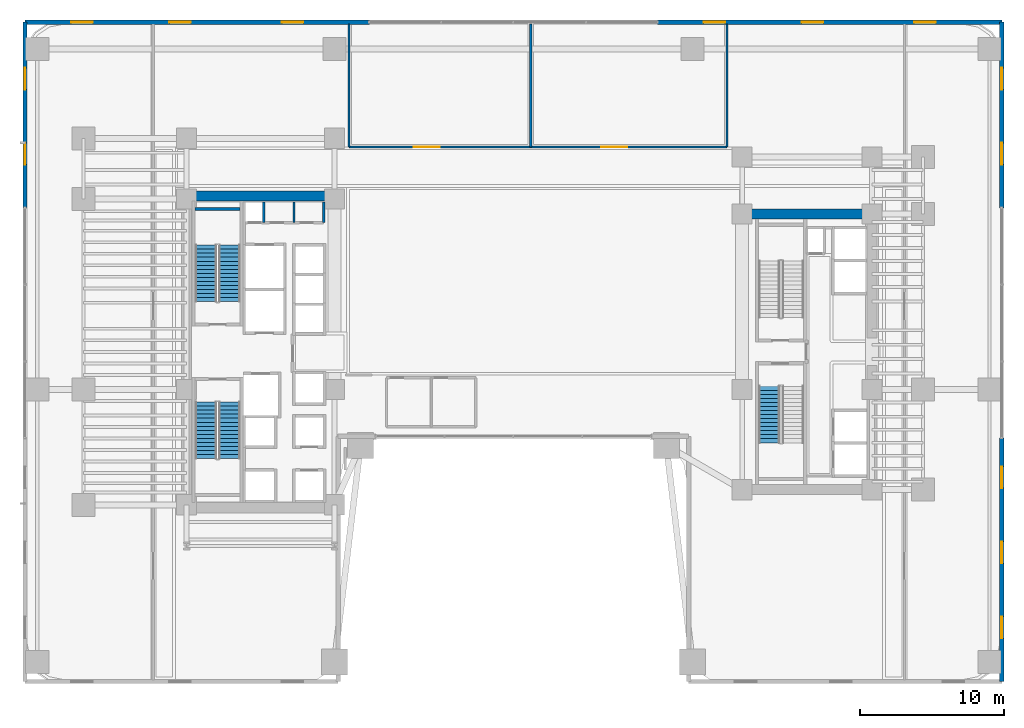
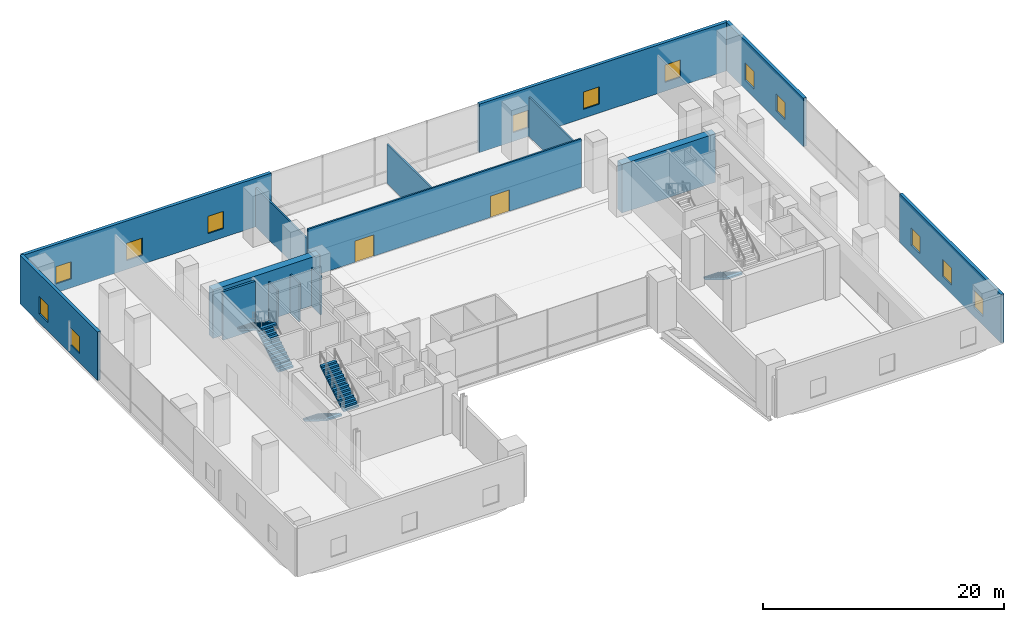
# One storey, part 29 of 39: 15 walls, 13 windows, 5 stair flights, 2 doors, 15 openings, 3 elements without a shape of their own.
"""IFC4 building model written with IfcOpenShell, lengths in metres."""

from ifc_helpers import new_model, si_unit, direction, frame, frame_2d, origin, place, context, subcontext, project, spatial, polyline, rectangle, outline, extrude, material, layer, layer_set, type_object, element, fill, aggregate, save


model = new_model("IFC4")

# Units and contexts
model_context = context("Model", 3, precision=1e-05, world=origin(), true_north=direction((0.0, 1.0)))
body_context = subcontext(model_context, "Body", "Model", "MODEL_VIEW")
ifc_project = project(units=[si_unit("LENGTHUNIT", "METRE"), si_unit("AREAUNIT", "SQUARE_METRE"), si_unit("VOLUMEUNIT", "CUBIC_METRE"), si_unit("PLANEANGLEUNIT", "RADIAN"), si_unit("MASSUNIT", "GRAM", prefix="KILO")], contexts=[model_context])

# Site, building, storey
site_placement = place(None, origin())
site = spatial("IfcSite", under=ifc_project, at=site_placement, CompositionType="ELEMENT")
building_placement = place(site_placement, origin())
building = spatial("IfcBuilding", under=site, at=building_placement, Name="Valdorenza Pilgrim Sanctuary Tower", CompositionType="ELEMENT")
storey_placement = place(building_placement, frame((0.0, 0.0, 5.199951171875)))
storey = spatial("IfcBuildingStorey", under=building, at=storey_placement, Name="L01", CompositionType="ELEMENT", Elevation=5.199951171875)

# Walls
ifc_material_1 = material(Name="Acoustic twin-stud gypsum partition", Category="gypsum")
ifc_layer_1 = layer(ifc_material_1, 0.159912109375, Name="Acoustic twin-stud gypsum partition")
ifc_layer_set_1 = layer_set([ifc_layer_1], Name="Acoustic twin-stud gypsum partition")
wall_type_1 = type_object("IfcWallType", Name="WAL-COR-160", PredefinedType="PARTITIONING", material=ifc_layer_set_1)
for number, where, z_axis, x_axis, name in (
    (1, (-13.14990234375, 8.949951171875, 0.0), (0.0, 0.0, 1.0), (0.0, 1.0, 0.0), "L01 Core A North Service East Wall"),
    (2, (-17.300048828125, 8.949951171875, 0.0), (0.0, 0.0, 1.0), (0.0, 1.0, 0.0), "L01 Core Electrical Riser Wall"),
    (3, (-15.199951171875, 8.949951171875, 0.0), (0.0, 0.0, 1.0), (0.0, 1.0, 0.0), "L01 Core A Housekeeping Split B"),
):
    element("IfcWall", number, at=place(storey_placement, frame(where, z_axis=z_axis, x_axis=x_axis)), inside=storey, type_object=wall_type_1, Name=name, PredefinedType="PARTITIONING", context=body_context, shape_type="SweptSolid", body=[
        extrude(rectangle(XDim=1.429931640625, YDim=0.159912109375, at=frame_2d((0.71484375, 0.0))), origin(), (0.0, 0.0, 1.0), 3.95703125),
    ])

# Wall, openings, doors
wall_1_placement = place(storey_placement, frame((-11.39990234375, 14.199951171875, 0.0), z_axis=(0.0, 0.0, 1.0), x_axis=(1.0, 0.0, 0.0)))
wall_1 = element("IfcWall", 4, at=wall_1_placement, inside=storey, type_object=wall_type_1, Name="L01 L01 North Hall Wall", PredefinedType="PARTITIONING", context=body_context, shape_type="SweptSolid", body=[
    extrude(rectangle(XDim=26.199951171875, YDim=0.159912109375, at=frame_2d((13.10009765625, 0.0))), origin(), (0.0, 0.0, 1.0), 4.920166015625),
])
opening_1_placement = place(wall_1_placement, frame((4.5, 0.0, 0.0)))
opening_1 = element("IfcOpeningElement", 5, at=opening_1_placement, cuts=wall_1, Name="Opening DR-HL1", PredefinedType="OPENING", context=body_context, shape_type="SweptSolid", body=[
    extrude(rectangle(XDim=1.800048828125, YDim=2.14990234375, at=frame_2d((0.89990234375, 1.074951171875))), frame((0.0, 0.0947265625, 0.0), z_axis=(0.0, -1.0, 0.0), x_axis=(1.0, 0.0, 0.0)), (0.0, 0.0, 1.0), 0.189697265625),
])
opening_2_placement = place(wall_1_placement, frame((17.5, 0.0, 0.0)))
opening_2 = element("IfcOpeningElement", 6, at=opening_2_placement, cuts=wall_1, Name="Opening DR-HL1", PredefinedType="OPENING", context=body_context, shape_type="SweptSolid", body=[
    extrude(rectangle(XDim=1.800048828125, YDim=2.14990234375, at=frame_2d((0.89990234375, 1.074951171875))), frame((0.0, 0.0947265625, 0.0), z_axis=(0.0, -1.0, 0.0), x_axis=(1.0, 0.0, 0.0)), (0.0, 0.0, 1.0), 0.189697265625),
])
ifc_material_2 = material(Name="Acoustic oak and vision-glass double door", Category="glass")
door_type = type_object("IfcDoorType", Name="DR-HALL-1800", OperationType="NOTDEFINED", PredefinedType="DOOR", material=ifc_material_2)
door_1_placement = place(opening_1_placement, origin())
door_1 = element("IfcDoor", 7, at=door_1_placement, inside=storey, type_object=door_type, Name="L01 Pilgrim Registration Office Double Door", OperationType="DOUBLE_DOOR_SINGLE_SWING", OverallHeight=2.14990234375, OverallWidth=1.800048828125, PredefinedType="DOOR", context=body_context, shape_type="SweptSolid", body=[
    extrude(rectangle(XDim=1.800048828125, YDim=2.14990234375, at=frame_2d((0.89990234375, 1.074951171875))), frame((0.0, 0.02490234375, 0.0), z_axis=(0.0, -1.0, 0.0), x_axis=(1.0, 0.0, 0.0)), (0.0, 0.0, 1.0), 0.050048828125),
])
fill(opening_1, door_1)
door_2_placement = place(opening_2_placement, frame((1.800048828125, 0.0, 0.0), z_axis=(0.0, 0.0, 1.0), x_axis=(-1.0, 0.0, 0.0)))
door_2 = element("IfcDoor", 8, at=door_2_placement, inside=storey, type_object=door_type, Name="L01 Heritage Briefing Office Double Door", OperationType="DOUBLE_DOOR_SINGLE_SWING", OverallHeight=2.14990234375, OverallWidth=1.800048828125, PredefinedType="DOOR", context=body_context, shape_type="SweptSolid", body=[
    extrude(rectangle(XDim=1.800048828125, YDim=2.14990234375, at=frame_2d((0.89990234375, 1.074951171875))), frame((0.0, 0.02490234375, 0.0), z_axis=(0.0, -1.0, 0.0), x_axis=(1.0, 0.0, 0.0)), (0.0, 0.0, 1.0), 0.050048828125),
])
fill(opening_2, door_2)

# Walls
for number, where, z_axis, x_axis, name in (
    (9, (-11.39990234375, 14.199951171875, 0.0), (0.0, 0.0, 1.0), (0.0, 1.0, 0.0), "L01 L01 North Hall West Wall"),
    (10, (14.800048828125, 14.199951171875, 0.0), (0.0, 0.0, 1.0), (0.0, 1.0, 0.0), "L01 L01 North Hall East Wall"),
):
    element("IfcWall", number, at=place(storey_placement, frame(where, z_axis=z_axis, x_axis=x_axis)), inside=storey, type_object=wall_type_1, Name=name, PredefinedType="PARTITIONING", context=body_context, shape_type="SweptSolid", body=[
        extrude(rectangle(XDim=8.5400390625, YDim=0.159912109375, at=frame_2d((4.27001953125, 0.0))), origin(), (0.0, 0.0, 1.0), 3.95703125),
    ])
ifc_material_3 = material(Name="Concrete C60/75", Category="concrete")
ifc_layer_2 = layer(ifc_material_3, 0.699951171875, Name="Concrete C60/75")
ifc_layer_set_2 = layer_set([ifc_layer_2], Name="Concrete C60/75")
wall_type_2 = type_object("IfcWallType", Name="WAL-COR-700", PredefinedType="SHEAR", material=ifc_layer_set_2)
wall_2_placement = place(storey_placement, frame((-22.64990234375, 10.800048828125, 0.0), z_axis=(0.0, 0.0, 1.0), x_axis=(1.0, 0.0, 0.0)))
element("IfcWall", 11, at=wall_2_placement, inside=storey, type_object=wall_type_2, Name="L01 Split Core A Shear Wall N", PredefinedType="SHEAR", context=body_context, shape_type="SweptSolid", body=[
    extrude(rectangle(XDim=10.25, YDim=0.699951171875, at=frame_2d((5.125, 0.0))), origin(), (0.0, 0.0, 1.0), 4.920166015625),
])
wall_3_placement = place(storey_placement, frame((15.85009765625, 9.550048828125, 0.0), z_axis=(0.0, 0.0, 1.0), x_axis=(1.0, 0.0, 0.0)))
element("IfcWall", 12, at=wall_3_placement, inside=storey, type_object=wall_type_2, Name="L01 Split Core B Shear Wall N", PredefinedType="SHEAR", context=body_context, shape_type="SweptSolid", body=[
    extrude(rectangle(XDim=9.0, YDim=0.699951171875, at=frame_2d((4.5, 0.0))), origin(), (0.0, 0.0, 1.0), 4.920166015625),
])

# Wall, openings, windows
ifc_material_4 = material(Name="Honed travertine limestone", Category="masonry")
ifc_layer_3 = layer(ifc_material_4, 0.300048828125, Name="Honed travertine limestone")
ifc_layer_set_3 = layer_set([ifc_layer_3], Name="Honed travertine limestone")
wall_type_3 = type_object("IfcWallType", Name="WAL-EXT-300", PredefinedType="SOLIDWALL", material=ifc_layer_set_3)
wall_4_placement = place(storey_placement, frame((-33.85009765625, 9.97998046875, 0.0), z_axis=(0.0, 0.0, 1.0), x_axis=(0.0, 1.0, 0.0)))
wall_4 = element("IfcWall", 13, at=wall_4_placement, inside=storey, type_object=wall_type_3, Name="L01 Podium Honed Travertine Stone Wall W-N", PredefinedType="SOLIDWALL", context=body_context, shape_type="SweptSolid", body=[
    extrude(rectangle(XDim=12.8701171875, YDim=0.300048828125, at=frame_2d((6.43505859375, 0.0))), origin(), (0.0, 0.0, 1.0), 4.920166015625),
])
opening_3_placement = place(wall_4_placement, frame((3.0, 0.0, 0.89990234375)))
opening_3 = element("IfcOpeningElement", 14, at=opening_3_placement, cuts=wall_4, Name="Opening WN-VS1", PredefinedType="OPENING", context=body_context, shape_type="SweptSolid", body=[
    extrude(rectangle(XDim=1.5, YDim=1.75, at=frame_2d((0.75, 0.875))), frame((0.0, 0.1650390625, 0.0), z_axis=(0.0, -1.0, 0.0), x_axis=(1.0, 0.0, 0.0)), (0.0, 0.0, 1.0), 0.329833984375),
])
opening_4_placement = place(wall_4_placement, frame((8.199951171875, 0.0, 0.89990234375)))
opening_4 = element("IfcOpeningElement", 15, at=opening_4_placement, cuts=wall_4, Name="Opening WN-VS1", PredefinedType="OPENING", context=body_context, shape_type="SweptSolid", body=[
    extrude(rectangle(XDim=1.5, YDim=1.75, at=frame_2d((0.75, 0.875))), frame((0.0, 0.1650390625, 0.0), z_axis=(0.0, -1.0, 0.0), x_axis=(1.0, 0.0, 0.0)), (0.0, 0.0, 1.0), 0.329833984375),
])
ifc_material_5 = material(Name="Ceramic-fritted low-E IGU glazing", Category="glass")
window_type = type_object("IfcWindowType", Name="WIN-VIS-1500", PartitioningType="SINGLE_PANEL", PredefinedType="WINDOW", material=ifc_material_5)
window_1_placement = place(opening_3_placement, origin())
window_1 = element("IfcWindow", 16, at=window_1_placement, inside=storey, type_object=window_type, Name="L01 Podium Stone Vision Window W-N-1", OverallHeight=1.75, OverallWidth=1.5, PartitioningType="SINGLE_PANEL", PredefinedType="WINDOW", context=body_context, shape_type="SweptSolid", body=[
    extrude(rectangle(XDim=1.5, YDim=1.75, at=frame_2d((0.75, 0.875))), frame((0.0, 0.030029296875, 0.0), z_axis=(0.0, -1.0, 0.0), x_axis=(1.0, 0.0, 0.0)), (0.0, 0.0, 1.0), 0.06005859375),
])
fill(opening_3, window_1)
window_2_placement = place(opening_4_placement, origin())
window_2 = element("IfcWindow", 17, at=window_2_placement, inside=storey, type_object=window_type, Name="L01 Podium Stone Vision Window W-N-2", OverallHeight=1.75, OverallWidth=1.5, PartitioningType="SINGLE_PANEL", PredefinedType="WINDOW", context=body_context, shape_type="SweptSolid", body=[
    extrude(rectangle(XDim=1.5, YDim=1.75, at=frame_2d((0.75, 0.875))), frame((0.0, 0.030029296875, 0.0), z_axis=(0.0, -1.0, 0.0), x_axis=(1.0, 0.0, 0.0)), (0.0, 0.0, 1.0), 0.06005859375),
])
fill(opening_4, window_2)

wall_5_placement = place(storey_placement, frame((33.85009765625, -22.85009765625, 0.0), z_axis=(0.0, 0.0, 1.0), x_axis=(0.0, 1.0, 0.0)))
wall_5 = element("IfcWall", 18, at=wall_5_placement, inside=storey, type_object=wall_type_3, Name="L01 Podium Honed Travertine Stone Wall E-S", PredefinedType="SOLIDWALL", context=body_context, shape_type="SweptSolid", body=[
    extrude(rectangle(XDim=16.8701171875, YDim=0.300048828125, at=frame_2d((8.43505859375, 0.0))), origin(), (0.0, 0.0, 1.0), 4.920166015625),
])
opening_5_placement = place(wall_5_placement, frame((3.0, 0.0, 0.89990234375)))
opening_5 = element("IfcOpeningElement", 19, at=opening_5_placement, cuts=wall_5, Name="Opening WN-VS1", PredefinedType="OPENING", context=body_context, shape_type="SweptSolid", body=[
    extrude(rectangle(XDim=1.5, YDim=1.75, at=frame_2d((0.75, 0.875))), frame((0.0, 0.1650390625, 0.0), z_axis=(0.0, -1.0, 0.0), x_axis=(1.0, 0.0, 0.0)), (0.0, 0.0, 1.0), 0.329833984375),
])
opening_6_placement = place(wall_5_placement, frame((8.199951171875, 0.0, 0.89990234375)))
opening_6 = element("IfcOpeningElement", 20, at=opening_6_placement, cuts=wall_5, Name="Opening WN-VS1", PredefinedType="OPENING", context=body_context, shape_type="SweptSolid", body=[
    extrude(rectangle(XDim=1.5, YDim=1.75, at=frame_2d((0.75, 0.875))), frame((0.0, 0.1650390625, 0.0), z_axis=(0.0, -1.0, 0.0), x_axis=(1.0, 0.0, 0.0)), (0.0, 0.0, 1.0), 0.329833984375),
])
opening_7_placement = place(wall_5_placement, frame((13.39990234375, 0.0, 0.89990234375)))
opening_7 = element("IfcOpeningElement", 21, at=opening_7_placement, cuts=wall_5, Name="Opening WN-VS1", PredefinedType="OPENING", context=body_context, shape_type="SweptSolid", body=[
    extrude(rectangle(XDim=1.5, YDim=1.75, at=frame_2d((0.75, 0.875))), frame((0.0, 0.1650390625, 0.0), z_axis=(0.0, -1.0, 0.0), x_axis=(1.0, 0.0, 0.0)), (0.0, 0.0, 1.0), 0.329833984375),
])
window_3_placement = place(opening_5_placement, origin())
window_3 = element("IfcWindow", 22, at=window_3_placement, inside=storey, type_object=window_type, Name="L01 Podium Stone Vision Window E-S-1", OverallHeight=1.75, OverallWidth=1.5, PartitioningType="SINGLE_PANEL", PredefinedType="WINDOW", context=body_context, shape_type="SweptSolid", body=[
    extrude(rectangle(XDim=1.5, YDim=1.75, at=frame_2d((0.75, 0.875))), frame((0.0, 0.030029296875, 0.0), z_axis=(0.0, -1.0, 0.0), x_axis=(1.0, 0.0, 0.0)), (0.0, 0.0, 1.0), 0.06005859375),
])
fill(opening_5, window_3)
window_4_placement = place(opening_6_placement, origin())
window_4 = element("IfcWindow", 23, at=window_4_placement, inside=storey, type_object=window_type, Name="L01 Podium Stone Vision Window E-S-2", OverallHeight=1.75, OverallWidth=1.5, PartitioningType="SINGLE_PANEL", PredefinedType="WINDOW", context=body_context, shape_type="SweptSolid", body=[
    extrude(rectangle(XDim=1.5, YDim=1.75, at=frame_2d((0.75, 0.875))), frame((0.0, 0.030029296875, 0.0), z_axis=(0.0, -1.0, 0.0), x_axis=(1.0, 0.0, 0.0)), (0.0, 0.0, 1.0), 0.06005859375),
])
fill(opening_6, window_4)
window_5_placement = place(opening_7_placement, origin())
window_5 = element("IfcWindow", 24, at=window_5_placement, inside=storey, type_object=window_type, Name="L01 Podium Stone Vision Window E-S-3", OverallHeight=1.75, OverallWidth=1.5, PartitioningType="SINGLE_PANEL", PredefinedType="WINDOW", context=body_context, shape_type="SweptSolid", body=[
    extrude(rectangle(XDim=1.5, YDim=1.75, at=frame_2d((0.75, 0.875))), frame((0.0, 0.030029296875, 0.0), z_axis=(0.0, -1.0, 0.0), x_axis=(1.0, 0.0, 0.0)), (0.0, 0.0, 1.0), 0.06005859375),
])
fill(opening_7, window_5)

wall_6_placement = place(storey_placement, frame((33.85009765625, 9.97998046875, 0.0), z_axis=(0.0, 0.0, 1.0), x_axis=(0.0, 1.0, 0.0)))
wall_6 = element("IfcWall", 25, at=wall_6_placement, inside=storey, type_object=wall_type_3, Name="L01 Podium Honed Travertine Stone Wall E-N", PredefinedType="SOLIDWALL", context=body_context, shape_type="SweptSolid", body=[
    extrude(rectangle(XDim=12.8701171875, YDim=0.300048828125, at=frame_2d((6.43505859375, 0.0))), origin(), (0.0, 0.0, 1.0), 4.920166015625),
])
opening_8_placement = place(wall_6_placement, frame((3.0, 0.0, 0.89990234375)))
opening_8 = element("IfcOpeningElement", 26, at=opening_8_placement, cuts=wall_6, Name="Opening WN-VS1", PredefinedType="OPENING", context=body_context, shape_type="SweptSolid", body=[
    extrude(rectangle(XDim=1.5, YDim=1.75, at=frame_2d((0.75, 0.875))), frame((0.0, 0.1650390625, 0.0), z_axis=(0.0, -1.0, 0.0), x_axis=(1.0, 0.0, 0.0)), (0.0, 0.0, 1.0), 0.329833984375),
])
opening_9_placement = place(wall_6_placement, frame((8.199951171875, 0.0, 0.89990234375)))
opening_9 = element("IfcOpeningElement", 27, at=opening_9_placement, cuts=wall_6, Name="Opening WN-VS1", PredefinedType="OPENING", context=body_context, shape_type="SweptSolid", body=[
    extrude(rectangle(XDim=1.5, YDim=1.75, at=frame_2d((0.75, 0.875))), frame((0.0, 0.1650390625, 0.0), z_axis=(0.0, -1.0, 0.0), x_axis=(1.0, 0.0, 0.0)), (0.0, 0.0, 1.0), 0.329833984375),
])
window_6_placement = place(opening_8_placement, origin())
window_6 = element("IfcWindow", 28, at=window_6_placement, inside=storey, type_object=window_type, Name="L01 Podium Stone Vision Window E-N-1", OverallHeight=1.75, OverallWidth=1.5, PartitioningType="SINGLE_PANEL", PredefinedType="WINDOW", context=body_context, shape_type="SweptSolid", body=[
    extrude(rectangle(XDim=1.5, YDim=1.75, at=frame_2d((0.75, 0.875))), frame((0.0, 0.030029296875, 0.0), z_axis=(0.0, -1.0, 0.0), x_axis=(1.0, 0.0, 0.0)), (0.0, 0.0, 1.0), 0.06005859375),
])
fill(opening_8, window_6)
window_7_placement = place(opening_9_placement, origin())
window_7 = element("IfcWindow", 29, at=window_7_placement, inside=storey, type_object=window_type, Name="L01 Podium Stone Vision Window E-N-2", OverallHeight=1.75, OverallWidth=1.5, PartitioningType="SINGLE_PANEL", PredefinedType="WINDOW", context=body_context, shape_type="SweptSolid", body=[
    extrude(rectangle(XDim=1.5, YDim=1.75, at=frame_2d((0.75, 0.875))), frame((0.0, 0.030029296875, 0.0), z_axis=(0.0, -1.0, 0.0), x_axis=(1.0, 0.0, 0.0)), (0.0, 0.0, 1.0), 0.06005859375),
])
fill(opening_9, window_7)

wall_7_placement = place(storey_placement, frame((-33.85009765625, 22.85009765625, 0.0), z_axis=(0.0, 0.0, 1.0), x_axis=(1.0, 0.0, 0.0)))
wall_7 = element("IfcWall", 30, at=wall_7_placement, inside=storey, type_object=wall_type_3, Name="L01 Podium Honed Travertine Stone Wall N-W", PredefinedType="SOLIDWALL", context=body_context, shape_type="SweptSolid", body=[
    extrude(rectangle(XDim=23.8701171875, YDim=0.300048828125, at=frame_2d((11.93505859375, 0.0))), origin(), (0.0, 0.0, 1.0), 4.920166015625),
])
opening_10_placement = place(wall_7_placement, frame((3.199951171875, 0.0, 0.89990234375)))
opening_10 = element("IfcOpeningElement", 31, at=opening_10_placement, cuts=wall_7, Name="Opening WN-VS1", PredefinedType="OPENING", context=body_context, shape_type="SweptSolid", body=[
    extrude(rectangle(XDim=1.5, YDim=1.75, at=frame_2d((0.75, 0.875))), frame((0.0, 0.1650390625, 0.0), z_axis=(0.0, -1.0, 0.0), x_axis=(1.0, 0.0, 0.0)), (0.0, 0.0, 1.0), 0.329833984375),
])
opening_11_placement = place(wall_7_placement, frame((10.0, 0.0, 0.89990234375)))
opening_11 = element("IfcOpeningElement", 32, at=opening_11_placement, cuts=wall_7, Name="Opening WN-VS1", PredefinedType="OPENING", context=body_context, shape_type="SweptSolid", body=[
    extrude(rectangle(XDim=1.5, YDim=1.75, at=frame_2d((0.75, 0.875))), frame((0.0, 0.1650390625, 0.0), z_axis=(0.0, -1.0, 0.0), x_axis=(1.0, 0.0, 0.0)), (0.0, 0.0, 1.0), 0.329833984375),
])
opening_12_placement = place(wall_7_placement, frame((17.800048828125, 0.0, 0.89990234375)))
opening_12 = element("IfcOpeningElement", 33, at=opening_12_placement, cuts=wall_7, Name="Opening WN-VS1", PredefinedType="OPENING", context=body_context, shape_type="SweptSolid", body=[
    extrude(rectangle(XDim=1.5, YDim=1.75, at=frame_2d((0.75, 0.875))), frame((0.0, 0.1650390625, 0.0), z_axis=(0.0, -1.0, 0.0), x_axis=(1.0, 0.0, 0.0)), (0.0, 0.0, 1.0), 0.329833984375),
])
window_8_placement = place(opening_10_placement, origin())
window_8 = element("IfcWindow", 34, at=window_8_placement, inside=storey, type_object=window_type, Name="L01 Podium Stone Vision Window N-W-1", OverallHeight=1.75, OverallWidth=1.5, PartitioningType="SINGLE_PANEL", PredefinedType="WINDOW", context=body_context, shape_type="SweptSolid", body=[
    extrude(rectangle(XDim=1.5, YDim=1.75, at=frame_2d((0.75, 0.875))), frame((0.0, 0.030029296875, 0.0), z_axis=(0.0, -1.0, 0.0), x_axis=(1.0, 0.0, 0.0)), (0.0, 0.0, 1.0), 0.06005859375),
])
fill(opening_10, window_8)
window_9_placement = place(opening_11_placement, origin())
window_9 = element("IfcWindow", 35, at=window_9_placement, inside=storey, type_object=window_type, Name="L01 Podium Stone Vision Window N-W-2", OverallHeight=1.75, OverallWidth=1.5, PartitioningType="SINGLE_PANEL", PredefinedType="WINDOW", context=body_context, shape_type="SweptSolid", body=[
    extrude(rectangle(XDim=1.5, YDim=1.75, at=frame_2d((0.75, 0.875))), frame((0.0, 0.030029296875, 0.0), z_axis=(0.0, -1.0, 0.0), x_axis=(1.0, 0.0, 0.0)), (0.0, 0.0, 1.0), 0.06005859375),
])
fill(opening_11, window_9)
window_10_placement = place(opening_12_placement, origin())
window_10 = element("IfcWindow", 36, at=window_10_placement, inside=storey, type_object=window_type, Name="L01 Podium Stone Vision Window N-W-3", OverallHeight=1.75, OverallWidth=1.5, PartitioningType="SINGLE_PANEL", PredefinedType="WINDOW", context=body_context, shape_type="SweptSolid", body=[
    extrude(rectangle(XDim=1.5, YDim=1.75, at=frame_2d((0.75, 0.875))), frame((0.0, 0.030029296875, 0.0), z_axis=(0.0, -1.0, 0.0), x_axis=(1.0, 0.0, 0.0)), (0.0, 0.0, 1.0), 0.06005859375),
])
fill(opening_12, window_10)

wall_8_placement = place(storey_placement, frame((9.97998046875, 22.85009765625, 0.0), z_axis=(0.0, 0.0, 1.0), x_axis=(1.0, 0.0, 0.0)))
wall_8 = element("IfcWall", 37, at=wall_8_placement, inside=storey, type_object=wall_type_3, Name="L01 Podium Honed Travertine Stone Wall N-E", PredefinedType="SOLIDWALL", context=body_context, shape_type="SweptSolid", body=[
    extrude(rectangle(XDim=23.8701171875, YDim=0.300048828125, at=frame_2d((11.93505859375, 0.0))), origin(), (0.0, 0.0, 1.0), 4.920166015625),
])
opening_13_placement = place(wall_8_placement, frame((3.199951171875, 0.0, 0.89990234375)))
opening_13 = element("IfcOpeningElement", 38, at=opening_13_placement, cuts=wall_8, Name="Opening WN-VS1", PredefinedType="OPENING", context=body_context, shape_type="SweptSolid", body=[
    extrude(rectangle(XDim=1.5, YDim=1.75, at=frame_2d((0.75, 0.875))), frame((0.0, 0.1650390625, 0.0), z_axis=(0.0, -1.0, 0.0), x_axis=(1.0, 0.0, 0.0)), (0.0, 0.0, 1.0), 0.329833984375),
])
opening_14_placement = place(wall_8_placement, frame((10.0, 0.0, 0.89990234375)))
opening_14 = element("IfcOpeningElement", 39, at=opening_14_placement, cuts=wall_8, Name="Opening WN-VS1", PredefinedType="OPENING", context=body_context, shape_type="SweptSolid", body=[
    extrude(rectangle(XDim=1.5, YDim=1.75, at=frame_2d((0.75, 0.875))), frame((0.0, 0.1650390625, 0.0), z_axis=(0.0, -1.0, 0.0), x_axis=(1.0, 0.0, 0.0)), (0.0, 0.0, 1.0), 0.329833984375),
])
opening_15_placement = place(wall_8_placement, frame((17.800048828125, 0.0, 0.89990234375)))
opening_15 = element("IfcOpeningElement", 40, at=opening_15_placement, cuts=wall_8, Name="Opening WN-VS1", PredefinedType="OPENING", context=body_context, shape_type="SweptSolid", body=[
    extrude(rectangle(XDim=1.5, YDim=1.75, at=frame_2d((0.75, 0.875))), frame((0.0, 0.1650390625, 0.0), z_axis=(0.0, -1.0, 0.0), x_axis=(1.0, 0.0, 0.0)), (0.0, 0.0, 1.0), 0.329833984375),
])
window_11_placement = place(opening_13_placement, origin())
window_11 = element("IfcWindow", 41, at=window_11_placement, inside=storey, type_object=window_type, Name="L01 Podium Stone Vision Window N-E-1", OverallHeight=1.75, OverallWidth=1.5, PartitioningType="SINGLE_PANEL", PredefinedType="WINDOW", context=body_context, shape_type="SweptSolid", body=[
    extrude(rectangle(XDim=1.5, YDim=1.75, at=frame_2d((0.75, 0.875))), frame((0.0, 0.030029296875, 0.0), z_axis=(0.0, -1.0, 0.0), x_axis=(1.0, 0.0, 0.0)), (0.0, 0.0, 1.0), 0.06005859375),
])
fill(opening_13, window_11)
window_12_placement = place(opening_14_placement, origin())
window_12 = element("IfcWindow", 42, at=window_12_placement, inside=storey, type_object=window_type, Name="L01 Podium Stone Vision Window N-E-2", OverallHeight=1.75, OverallWidth=1.5, PartitioningType="SINGLE_PANEL", PredefinedType="WINDOW", context=body_context, shape_type="SweptSolid", body=[
    extrude(rectangle(XDim=1.5, YDim=1.75, at=frame_2d((0.75, 0.875))), frame((0.0, 0.030029296875, 0.0), z_axis=(0.0, -1.0, 0.0), x_axis=(1.0, 0.0, 0.0)), (0.0, 0.0, 1.0), 0.06005859375),
])
fill(opening_14, window_12)
window_13_placement = place(opening_15_placement, origin())
window_13 = element("IfcWindow", 43, at=window_13_placement, inside=storey, type_object=window_type, Name="L01 Podium Stone Vision Window N-E-3", OverallHeight=1.75, OverallWidth=1.5, PartitioningType="SINGLE_PANEL", PredefinedType="WINDOW", context=body_context, shape_type="SweptSolid", body=[
    extrude(rectangle(XDim=1.5, YDim=1.75, at=frame_2d((0.75, 0.875))), frame((0.0, 0.030029296875, 0.0), z_axis=(0.0, -1.0, 0.0), x_axis=(1.0, 0.0, 0.0)), (0.0, 0.0, 1.0), 0.06005859375),
])
fill(opening_15, window_13)

# Walls
ifc_material_6 = material(Name="Concrete C40/50", Category="concrete")
ifc_layer_4 = layer(ifc_material_6, 0.219970703125, Name="Concrete C40/50")
ifc_layer_set_4 = layer_set([ifc_layer_4], Name="Concrete C40/50")
wall_type_4 = type_object("IfcWallType", Name="WAL-STR-SHF-220", PredefinedType="SHEAR", material=ifc_layer_set_4)
wall_9_placement = place(storey_placement, frame((-22.050048828125, 9.909912109375, 0.0), z_axis=(0.0, 0.0, 1.0), x_axis=(1.0, 0.0, 0.0)))
element("IfcWall", 44, at=wall_9_placement, inside=storey, type_object=wall_type_4, Name="L01 ST-A1 Structural Stairwell Wall N", PredefinedType="SHEAR", context=body_context, shape_type="SweptSolid", body=[
    extrude(rectangle(XDim=3.110107421875, YDim=0.219970703125, at=frame_2d((1.55517578125, 0.0))), origin(), (0.0, 0.0, 1.0), 4.920166015625),
])
ifc_layer_5 = layer(ifc_material_1, 0.14990234375, Name="Acoustic twin-stud gypsum partition")
ifc_layer_set_5 = layer_set([ifc_layer_5], Name="Acoustic twin-stud gypsum partition")
wall_type_5 = type_object("IfcWallType", Name="WAL-UNT-150", PredefinedType="PARTITIONING", material=ifc_layer_set_5)
wall_10_placement = place(storey_placement, frame((1.199951171875, 14.199951171875, 0.0), z_axis=(0.0, 0.0, 1.0), x_axis=(0.0, 1.0, 0.0)))
element("IfcWall", 45, at=wall_10_placement, inside=storey, type_object=wall_type_5, Name="L01 L01 North Mid Wall", PredefinedType="PARTITIONING", context=body_context, shape_type="SweptSolid", body=[
    extrude(rectangle(XDim=8.5400390625, YDim=0.14990234375, at=frame_2d((4.27001953125, 0.0))), origin(), (0.0, 0.0, 1.0), 3.95703125),
])

# Stair, stair flights
stair_type = type_object("IfcStairType", Name="STR-DOG-CORE", PredefinedType="HALF_TURN_STAIR", material=ifc_material_6)
stair_1_placement = place(storey_placement, origin())
stair_1 = element("IfcStair", 46, at=stair_1_placement, inside=storey, type_object=stair_type, Name="L01 ST-A1", PredefinedType="HALF_TURN_STAIR")
stair_flight_type = type_object("IfcStairFlightType", Name="STF-RC-1400", PredefinedType="STRAIGHT", material=ifc_material_6)
stair_flight_1_placement = place(storey_placement, frame((-19.679931640625, 3.47998046875, 0.0), z_axis=(0.0, 0.0, 1.0), x_axis=(0.0, 1.0, 0.0)))
stair_flight_1 = element("IfcStairFlight", 47, at=stair_flight_1_placement, type_object=stair_flight_type, Name="ST-A1 flight 1", NumberOfRisers=15, NumberOfTreads=14, PredefinedType="STRAIGHT", RiserHeight=0.173333333, TreadLength=0.28, context=body_context, shape_type="SweptSolid", body=[
    extrude(outline(polyline([(0.0, 0.0), (0.0, 0.17333984375), (0.280029296875, 0.17333984375), (0.280029296875, 0.3466796875), (0.56005859375, 0.3466796875), (0.56005859375, 0.52001953125), (0.840087890625, 0.52001953125), (0.840087890625, 0.693359375), (1.1201171875, 0.693359375), (1.1201171875, 0.86669921875), (1.39990234375, 0.86669921875), (1.39990234375, 1.0400390625), (1.679931640625, 1.0400390625), (1.679931640625, 1.21337890625), (1.9599609375, 1.21337890625), (1.9599609375, 1.38671875), (2.239990234375, 1.38671875), (2.239990234375, 1.56005859375), (2.52001953125, 1.56005859375), (2.52001953125, 1.7333984375), (2.800048828125, 1.7333984375), (2.800048828125, 1.90673828125), (3.080078125, 1.90673828125), (3.080078125, 2.080078125), (3.360107421875, 2.080078125), (3.360107421875, 2.25341796875), (3.639892578125, 2.25341796875), (3.639892578125, 2.4267578125), (3.919921875, 2.4267578125), (3.919921875, 2.60009765625), (3.919921875, 2.250244140625), (0.284912109375, 0.0), (0.0, 0.0)])), frame((0.0, 0.739990234375, 0.0), z_axis=(0.0, -1.0, 0.0), x_axis=(1.0, 0.0, 0.0)), (0.0, 0.0, 1.0), 1.47998046875),
])
stair_flight_2_placement = place(storey_placement, frame((-21.31005859375, 7.39990234375, 2.60009765625), z_axis=(0.0, 0.0, 1.0), x_axis=(0.0, -1.0, 0.0)))
stair_flight_2 = element("IfcStairFlight", 48, at=stair_flight_2_placement, type_object=stair_flight_type, Name="ST-A1 flight 2", NumberOfRisers=15, NumberOfTreads=14, PredefinedType="STRAIGHT", RiserHeight=0.173333333, TreadLength=0.28, context=body_context, shape_type="SweptSolid", body=[
    extrude(outline(polyline([(0.0, 0.0), (0.0, 0.17333984375), (0.280029296875, 0.17333984375), (0.280029296875, 0.3466796875), (0.56005859375, 0.3466796875), (0.56005859375, 0.52001953125), (0.840087890625, 0.52001953125), (0.840087890625, 0.693359375), (1.1201171875, 0.693359375), (1.1201171875, 0.86669921875), (1.39990234375, 0.86669921875), (1.39990234375, 1.0400390625), (1.679931640625, 1.0400390625), (1.679931640625, 1.21337890625), (1.9599609375, 1.21337890625), (1.9599609375, 1.38671875), (2.239990234375, 1.38671875), (2.239990234375, 1.56005859375), (2.52001953125, 1.56005859375), (2.52001953125, 1.7333984375), (2.800048828125, 1.7333984375), (2.800048828125, 1.90673828125), (3.080078125, 1.90673828125), (3.080078125, 2.080078125), (3.360107421875, 2.080078125), (3.360107421875, 2.25341796875), (3.639892578125, 2.25341796875), (3.639892578125, 2.4267578125), (3.919921875, 2.4267578125), (3.919921875, 2.60009765625), (3.919921875, 2.250244140625), (0.284912109375, 0.0), (0.0, 0.0)])), frame((0.0, 0.739990234375, 0.0), z_axis=(0.0, -1.0, 0.0), x_axis=(1.0, 0.0, 0.0)), (0.0, 0.0, 1.0), 1.47998046875),
])
aggregate(stair_1, [stair_flight_1, stair_flight_2])

stair_2_placement = place(storey_placement, origin())
stair_2 = element("IfcStair", 49, at=stair_2_placement, inside=storey, type_object=stair_type, Name="L01 ST-A2", PredefinedType="HALF_TURN_STAIR")
stair_flight_3_placement = place(storey_placement, frame((-21.31005859375, -3.47998046875, 0.0), z_axis=(0.0, 0.0, 1.0), x_axis=(0.0, -1.0, 0.0)))
stair_flight_3 = element("IfcStairFlight", 50, at=stair_flight_3_placement, type_object=stair_flight_type, Name="ST-A2 flight 1", NumberOfRisers=15, NumberOfTreads=14, PredefinedType="STRAIGHT", RiserHeight=0.173333333, TreadLength=0.28, context=body_context, shape_type="SweptSolid", body=[
    extrude(outline(polyline([(0.0, 0.0), (0.0, 0.17333984375), (0.280029296875, 0.17333984375), (0.280029296875, 0.3466796875), (0.56005859375, 0.3466796875), (0.56005859375, 0.52001953125), (0.840087890625, 0.52001953125), (0.840087890625, 0.693359375), (1.1201171875, 0.693359375), (1.1201171875, 0.86669921875), (1.39990234375, 0.86669921875), (1.39990234375, 1.0400390625), (1.679931640625, 1.0400390625), (1.679931640625, 1.21337890625), (1.9599609375, 1.21337890625), (1.9599609375, 1.38671875), (2.239990234375, 1.38671875), (2.239990234375, 1.56005859375), (2.52001953125, 1.56005859375), (2.52001953125, 1.7333984375), (2.800048828125, 1.7333984375), (2.800048828125, 1.90673828125), (3.080078125, 1.90673828125), (3.080078125, 2.080078125), (3.360107421875, 2.080078125), (3.360107421875, 2.25341796875), (3.639892578125, 2.25341796875), (3.639892578125, 2.4267578125), (3.919921875, 2.4267578125), (3.919921875, 2.60009765625), (3.919921875, 2.250244140625), (0.284912109375, 0.0), (0.0, 0.0)])), frame((0.0, 0.739990234375, 0.0), z_axis=(0.0, -1.0, 0.0), x_axis=(1.0, 0.0, 0.0)), (0.0, 0.0, 1.0), 1.47998046875),
])
stair_flight_4_placement = place(storey_placement, frame((-19.679931640625, -7.39990234375, 2.60009765625), z_axis=(0.0, 0.0, 1.0), x_axis=(0.0, 1.0, 0.0)))
stair_flight_4 = element("IfcStairFlight", 51, at=stair_flight_4_placement, type_object=stair_flight_type, Name="ST-A2 flight 2", NumberOfRisers=15, NumberOfTreads=14, PredefinedType="STRAIGHT", RiserHeight=0.173333333, TreadLength=0.28, context=body_context, shape_type="SweptSolid", body=[
    extrude(outline(polyline([(0.0, 0.0), (0.0, 0.17333984375), (0.280029296875, 0.17333984375), (0.280029296875, 0.3466796875), (0.56005859375, 0.3466796875), (0.56005859375, 0.52001953125), (0.840087890625, 0.52001953125), (0.840087890625, 0.693359375), (1.1201171875, 0.693359375), (1.1201171875, 0.86669921875), (1.39990234375, 0.86669921875), (1.39990234375, 1.0400390625), (1.679931640625, 1.0400390625), (1.679931640625, 1.21337890625), (1.9599609375, 1.21337890625), (1.9599609375, 1.38671875), (2.239990234375, 1.38671875), (2.239990234375, 1.56005859375), (2.52001953125, 1.56005859375), (2.52001953125, 1.7333984375), (2.800048828125, 1.7333984375), (2.800048828125, 1.90673828125), (3.080078125, 1.90673828125), (3.080078125, 2.080078125), (3.360107421875, 2.080078125), (3.360107421875, 2.25341796875), (3.639892578125, 2.25341796875), (3.639892578125, 2.4267578125), (3.919921875, 2.4267578125), (3.919921875, 2.60009765625), (3.919921875, 2.250244140625), (0.284912109375, 0.0), (0.0, 0.0)])), frame((0.0, 0.739990234375, 0.0), z_axis=(0.0, -1.0, 0.0), x_axis=(1.0, 0.0, 0.0)), (0.0, 0.0, 1.0), 1.47998046875),
])
aggregate(stair_2, [stair_flight_3, stair_flight_4])

# Stair, stair flight
stair_3_placement = place(storey_placement, origin())
stair_3 = element("IfcStair", 52, at=stair_3_placement, inside=storey, type_object=stair_type, Name="L01 ST-B2", PredefinedType="HALF_TURN_STAIR")
stair_flight_5_placement = place(storey_placement, frame((17.739990234375, -2.3798828125, 0.0), z_axis=(0.0, 0.0, 1.0), x_axis=(0.0, -1.0, 0.0)))
stair_flight_5 = element("IfcStairFlight", 53, at=stair_flight_5_placement, type_object=stair_flight_type, Name="ST-B2 flight 1", NumberOfRisers=15, NumberOfTreads=14, PredefinedType="STRAIGHT", RiserHeight=0.173333333, TreadLength=0.28, context=body_context, shape_type="SweptSolid", body=[
    extrude(outline(polyline([(0.0, 0.0), (0.0, 0.17333984375), (0.280029296875, 0.17333984375), (0.280029296875, 0.3466796875), (0.56005859375, 0.3466796875), (0.56005859375, 0.52001953125), (0.840087890625, 0.52001953125), (0.840087890625, 0.693359375), (1.1201171875, 0.693359375), (1.1201171875, 0.86669921875), (1.39990234375, 0.86669921875), (1.39990234375, 1.0400390625), (1.679931640625, 1.0400390625), (1.679931640625, 1.21337890625), (1.9599609375, 1.21337890625), (1.9599609375, 1.38671875), (2.239990234375, 1.38671875), (2.239990234375, 1.56005859375), (2.52001953125, 1.56005859375), (2.52001953125, 1.7333984375), (2.800048828125, 1.7333984375), (2.800048828125, 1.90673828125), (3.080078125, 1.90673828125), (3.080078125, 2.080078125), (3.360107421875, 2.080078125), (3.360107421875, 2.25341796875), (3.639892578125, 2.25341796875), (3.639892578125, 2.4267578125), (3.919921875, 2.4267578125), (3.919921875, 2.60009765625), (3.919921875, 2.250244140625), (0.284912109375, 0.0), (0.0, 0.0)])), frame((0.0, 0.739990234375, 0.0), z_axis=(0.0, -1.0, 0.0), x_axis=(1.0, 0.0, 0.0)), (0.0, 0.0, 1.0), 1.47998046875),
])
aggregate(stair_3, [stair_flight_5])

save(model, "model.ifc")
